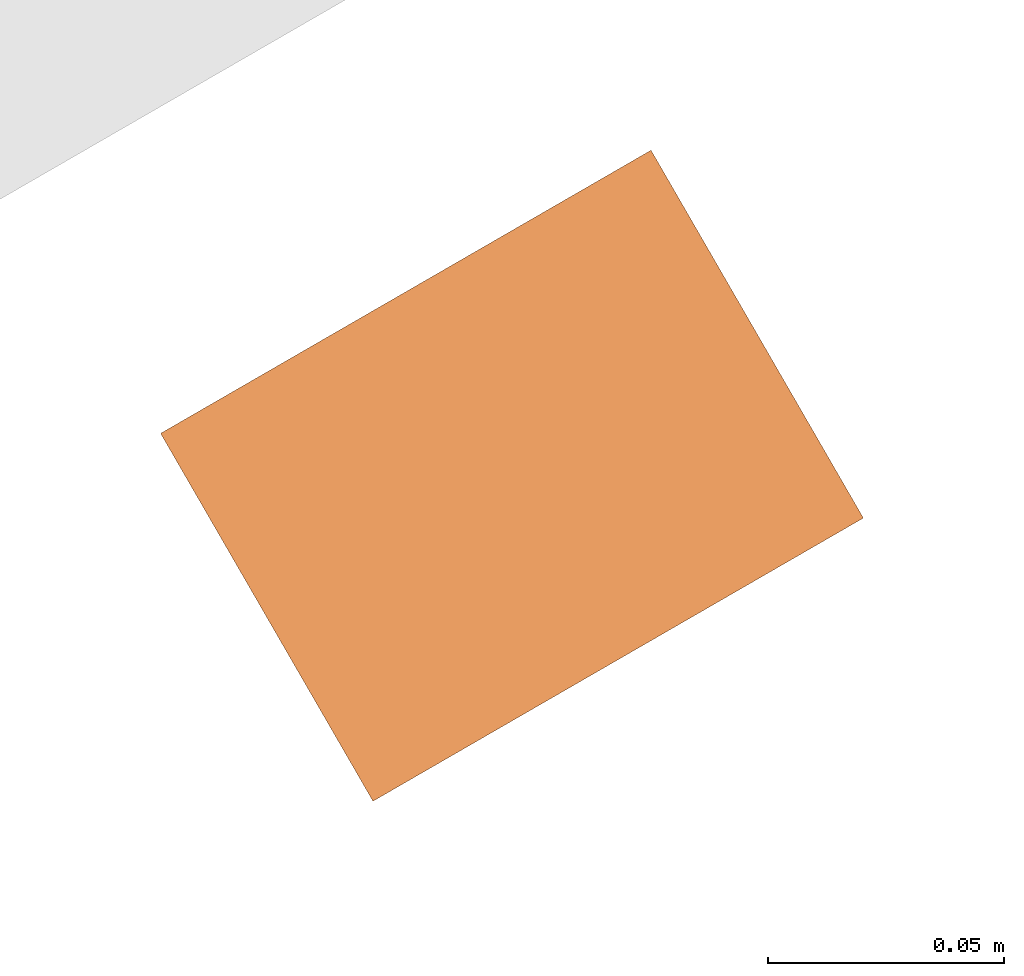
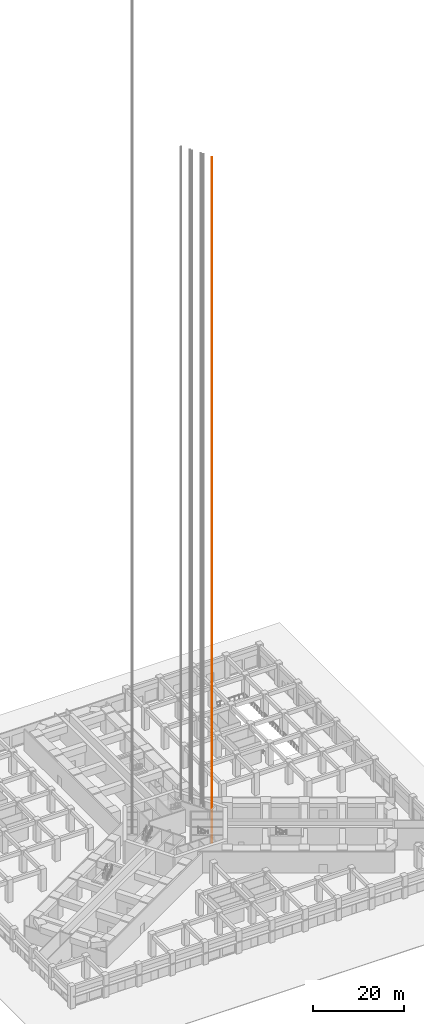
# One storey, part 26 of 33: 1 proxy.
"""IFC4 building model written with IfcOpenShell, lengths in metres."""

from ifc_helpers import new_model, si_unit, direction, frame, origin, origin_2d, place, context, subcontext, project, spatial, rectangle, extrude, material, type_object, element, save


model = new_model("IFC4")

# Units and contexts
model_context = context("Model", 3, precision=1e-05, world=origin(), true_north=direction((0.0, 1.0)))
body_context = subcontext(model_context, "Body", "Model", "MODEL_VIEW")
ifc_project = project(units=[si_unit("LENGTHUNIT", "METRE"), si_unit("AREAUNIT", "SQUARE_METRE"), si_unit("VOLUMEUNIT", "CUBIC_METRE"), si_unit("PLANEANGLEUNIT", "RADIAN"), si_unit("MASSUNIT", "GRAM", prefix="KILO")], contexts=[model_context])

# Site, building, storey
site_placement = place(None, origin())
site = spatial("IfcSite", under=ifc_project, at=site_placement, CompositionType="ELEMENT")
building_placement = place(site_placement, origin())
building = spatial("IfcBuilding", under=site, at=building_placement, Name="Impinga Residences", CompositionType="ELEMENT")
storey_placement = place(building_placement, origin())
storey = spatial("IfcBuildingStorey", under=building, at=storey_placement, Name="L00", CompositionType="ELEMENT", Elevation=0.0)

# Proxy
ifc_material = material(Name="Steel lift guide rail, galvanised", Category="steel")
building_element_proxy_type = type_object("IfcBuildingElementProxyType", Name="LGR lift guide rail", PredefinedType="USERDEFINED", material=ifc_material)
proxy_placement = place(storey_placement, frame((10.0771484375, 1.308837890625, -3.5), z_axis=(0.0, 0.0, 1.0), x_axis=(-0.5, 0.866025403784, 0.0)))
element("IfcBuildingElementProxy", 1, at=proxy_placement, inside=storey, type_object=building_element_proxy_type, Name="Guide rail P6 1", ObjectType="Lift guide rail", PredefinedType="USERDEFINED", context=body_context, shape_type="SweptSolid", body=[
    extrude(rectangle(XDim=0.090087890625, YDim=0.1201171875, at=origin_2d()), origin(), (0.0, 0.0, 1.0), 183.14990234375),
])

save(model, "model.ifc")
